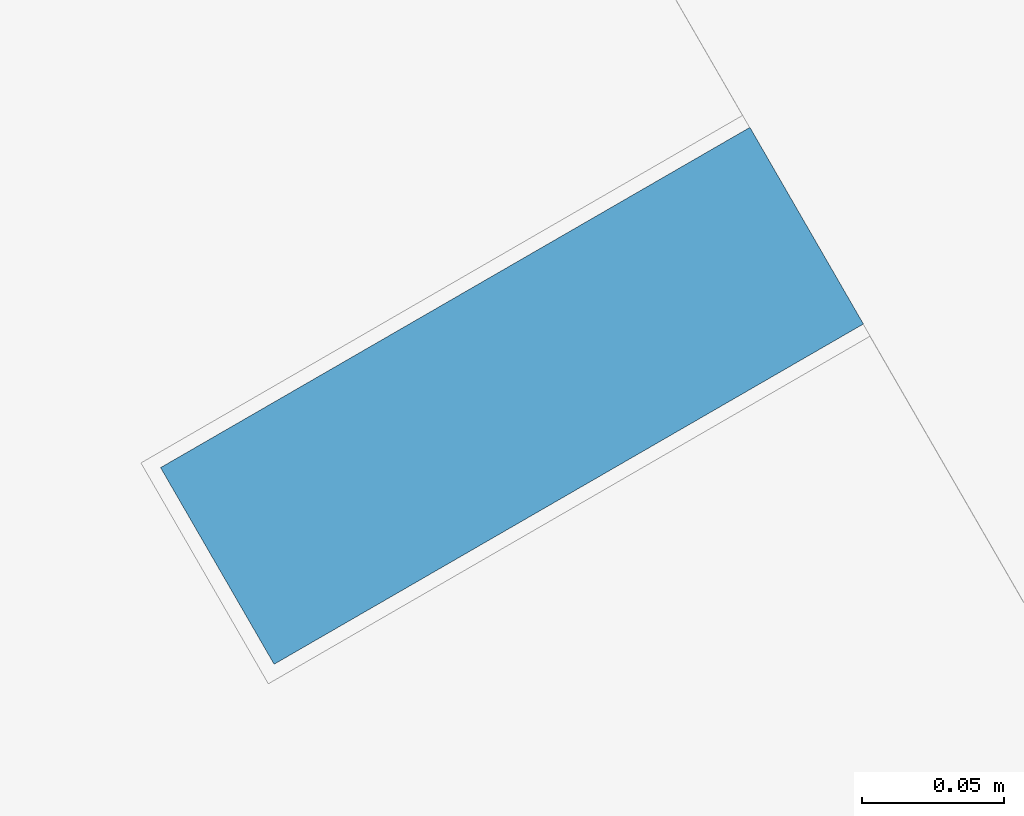
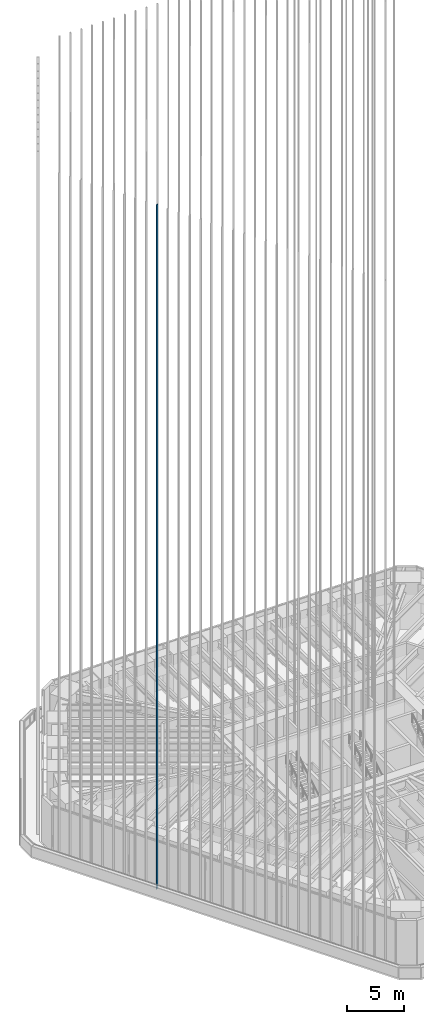
# One storey, part 43 of 228: 1 member, 1 element without a shape of its own.
"""IFC4 building model written with IfcOpenShell, lengths in metres."""

from ifc_helpers import new_model, si_unit, direction, frame, origin, origin_2d, place, context, subcontext, project, spatial, rectangle, extrude, material, material_profile, profile_set, type_object, element, aggregate, save


model = new_model("IFC4")

# Units and contexts
model_context = context("Model", 3, precision=1e-05, world=origin(), true_north=direction((0.0, 1.0)))
body_context = subcontext(model_context, "Body", "Model", "MODEL_VIEW")
ifc_project = project(units=[si_unit("LENGTHUNIT", "METRE"), si_unit("AREAUNIT", "SQUARE_METRE"), si_unit("VOLUMEUNIT", "CUBIC_METRE"), si_unit("PLANEANGLEUNIT", "RADIAN"), si_unit("MASSUNIT", "GRAM", prefix="KILO")], contexts=[model_context])

# Site, building, storey
site_placement = place(None, origin())
site = spatial("IfcSite", under=ifc_project, at=site_placement, CompositionType="ELEMENT")
building_placement = place(site_placement, origin())
building = spatial("IfcBuilding", under=site, at=building_placement, Name="Sandreach Pilgrim Tower", CompositionType="ELEMENT")
storey_placement = place(building_placement, frame((0.0, 0.0, 178.199951171875)))
storey = spatial("IfcBuildingStorey", under=building, at=storey_placement, Name="L44", CompositionType="ELEMENT", Elevation=178.199951171875)

# Curtain wall, member
ifc_material_1 = material(Name="Aluminium framed curtain wall", Category="aluminium")
curtain_wall_type = type_object("IfcCurtainWallType", Name="Upper hotel tower curtain wall", PredefinedType="NOTDEFINED", material=ifc_material_1)
curtain_wall_placement = place(storey_placement, origin())
curtain_wall = element("IfcCurtainWall", 1, at=curtain_wall_placement, inside=storey, type_object=curtain_wall_type, Name="CW-3 L44 SW", PredefinedType="NOTDEFINED")
ifc_material_2 = material(Name="Extruded terracotta on aluminium core", Category="masonry")
ifc_material_profile = material_profile(ifc_material_2, rectangle(XDim=0.080078125, YDim=0.239990234375, at=origin_2d()), Name="TBW 80X240")
ifc_profile_set = profile_set([ifc_material_profile], Name="Extruded terracotta on aluminium core")
member_type = type_object("IfcMemberType", Name="Terracotta baguette west", PredefinedType="USERDEFINED", material=ifc_profile_set)
member_placement = place(storey_placement, frame((-21.994873046875, -5.063720703125, 0.0), z_axis=(0.0, 0.0, 1.0), x_axis=(-0.5, 0.866025403784, 0.0)))
member = element("IfcMember", 2, at=member_placement, type_object=member_type, Name="Baguette Z3 SW22", ObjectType="BAGUETTE", PredefinedType="USERDEFINED", context=body_context, shape_type="SweptSolid", body=[
    extrude(rectangle(XDim=0.080078125, YDim=0.239990234375, at=origin_2d()), origin(), (0.0, 0.0, 1.0), 73.239990234375),
])
aggregate(curtain_wall, [member])

save(model, "model.ifc")
